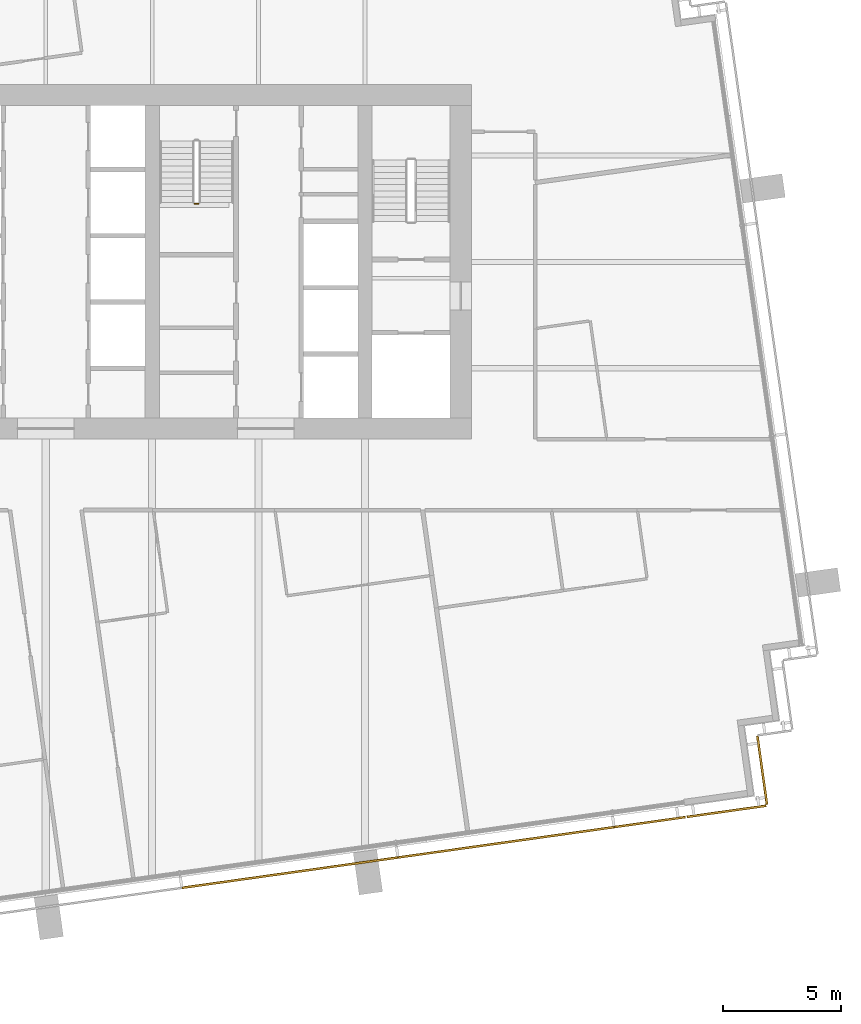
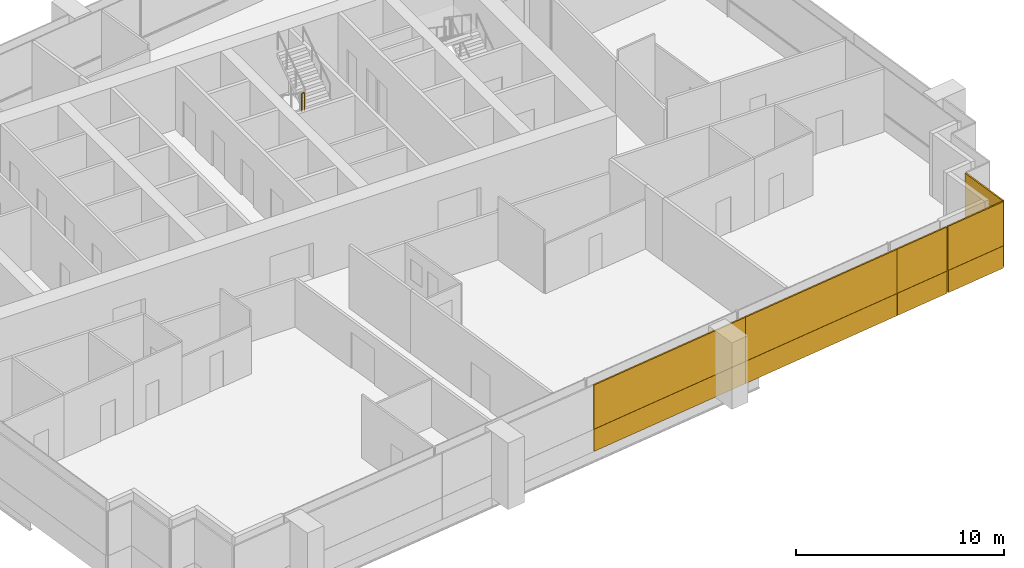
# One storey, part 15 of 18: 10 coverings, 1 railing.
"""IFC4 building model written with IfcOpenShell, lengths in metres."""

from ifc_helpers import new_model, si_unit, direction, frame, origin, origin_2d, place, context, subcontext, project, spatial, rectangle, extrude, material, layer, layer_set, type_object, element, save


model = new_model("IFC4")

# Units and contexts
model_context = context("Model", 3, precision=1e-05, world=origin(), true_north=direction((0.0, 1.0)))
body_context = subcontext(model_context, "Body", "Model", "MODEL_VIEW")
ifc_project = project(units=[si_unit("LENGTHUNIT", "METRE"), si_unit("AREAUNIT", "SQUARE_METRE"), si_unit("VOLUMEUNIT", "CUBIC_METRE"), si_unit("PLANEANGLEUNIT", "RADIAN"), si_unit("MASSUNIT", "GRAM", prefix="KILO")], contexts=[model_context])

# Site, building, storey
site_placement = place(None, origin())
site = spatial("IfcSite", under=ifc_project, at=site_placement, CompositionType="ELEMENT")
building_placement = place(site_placement, origin())
building = spatial("IfcBuilding", under=site, at=building_placement, Name="Rattan Terrace Tower", CompositionType="ELEMENT")
storey_placement = place(building_placement, frame((0.0, 0.0, 233.0)))
storey = spatial("IfcBuildingStorey", under=building, at=storey_placement, Name="L53", CompositionType="ELEMENT", Elevation=233.0)

# Railing
ifc_material_1 = material(Name="Powder-coated steel guard", Category="steel")
railing_type = type_object("IfcRailingType", Name="Core stair guard", PredefinedType="GUARDRAIL", material=ifc_material_1)
railing_placement = place(storey_placement, frame((6.300048828125, 2.449951171875, 1.949951171875)))
element("IfcRailing", 1, at=railing_placement, inside=storey, type_object=railing_type, Name="L53 S3 stair guard 2", PredefinedType="GUARDRAIL", context=body_context, shape_type="SweptSolid", body=[
    extrude(rectangle(XDim=0.048095703125, YDim=0.048095703125, at=origin_2d()), frame((0.0, 0.0, 1.076171875), z_axis=(1.0, 0.0, 0.0), x_axis=(0.0, 1.0, 0.0)), (0.0, 0.0, 1.0), 0.14990234375),
    extrude(rectangle(XDim=0.0419921875, YDim=0.0419921875, at=origin_2d()), origin(), (0.0, 0.0, 1.0), 1.052001953125),
    extrude(rectangle(XDim=0.0419921875, YDim=0.0419921875, at=origin_2d()), frame((0.14990234375, 0.0, 0.0)), (0.0, 0.0, 1.0), 1.052001953125),
])

# Coverings
ifc_material_2 = material(Name="Solid terracotta", Category="masonry")
ifc_layer_1 = layer(ifc_material_2, 0.090087890625)
ifc_layer_set_1 = layer_set([ifc_layer_1], Name="Facade Terracotta Band Panel HZ")
covering_type_1 = type_object("IfcCoveringType", Name="Facade Terracotta Band Panel HZ", PredefinedType="CLADDING", material=ifc_layer_set_1)
covering_1_placement = place(storey_placement, frame((28.7919921875, -23.2470703125, -0.18994140625), z_axis=(0.0, 0.0, 1.0), x_axis=(0.990247240581, 0.139321220646, 0.0)))
element("IfcCovering", 2, at=covering_1_placement, inside=storey, type_object=covering_type_1, Name="OUTER SKIN panel L53-1A", PredefinedType="CLADDING", context=body_context, shape_type="SweptSolid", body=[
    extrude(rectangle(XDim=3.3701171875, YDim=0.090087890625, at=origin_2d()), origin(), (0.0, 0.0, 1.0), 1.300048828125),
])
covering_2_placement = place(storey_placement, frame((30.304443359375, -21.50439453125, -0.18994140625), z_axis=(0.0, 0.0, 1.0), x_axis=(-0.138994363123, 0.990293172258, 0.0)))
element("IfcCovering", 3, at=covering_2_placement, inside=storey, type_object=covering_type_1, Name="OUTER SKIN panel L53-2A", PredefinedType="CLADDING", context=body_context, shape_type="SweptSolid", body=[
    extrude(rectangle(XDim=2.919921875, YDim=0.090087890625, at=origin_2d()), origin(), (0.0, 0.0, 1.0), 1.300048828125),
])
for number, where, z_axis, x_axis, name in (
    (4, (10.32666015625, -25.842529296875, -0.18994140625), (0.0, 0.0, 1.0), (0.990267457022, 0.139177453499, 0.0), "OUTER SKIN panel L53-34A"),
    (5, (19.4677734375, -24.557861328125, -0.18994140625), (0.0, 0.0, 1.0), (0.990267457022, 0.139177453499, 0.0), "OUTER SKIN panel L53-35A"),
):
    element("IfcCovering", number, at=place(storey_placement, frame(where, z_axis=z_axis, x_axis=x_axis)), inside=storey, type_object=covering_type_1, Name=name, PredefinedType="CLADDING", context=body_context, shape_type="SweptSolid", body=[
        extrude(rectangle(XDim=9.2109375, YDim=0.090087890625, at=origin_2d()), origin(), (0.0, 0.0, 1.0), 1.300048828125),
    ])
covering_3_placement = place(storey_placement, frame((25.546142578125, -23.70361328125, -0.18994140625), z_axis=(0.0, 0.0, 1.0), x_axis=(0.990267457022, 0.139177453499, 0.0)))
element("IfcCovering", 6, at=covering_3_placement, inside=storey, type_object=covering_type_1, Name="OUTER SKIN panel L53-36A", PredefinedType="CLADDING", context=body_context, shape_type="SweptSolid", body=[
    extrude(rectangle(XDim=3.025390625, YDim=0.090087890625, at=origin_2d()), origin(), (0.0, 0.0, 1.0), 1.300048828125),
])
ifc_material_3 = material(Name="Perforated terracotta", Category="masonry")
ifc_layer_2 = layer(ifc_material_3, 0.080078125)
ifc_layer_set_2 = layer_set([ifc_layer_2], Name="Facade Terracotta Screen Panel HZ")
covering_type_2 = type_object("IfcCoveringType", Name="Facade Terracotta Screen Panel HZ", PredefinedType="CLADDING", material=ifc_layer_set_2)
covering_4_placement = place(storey_placement, frame((28.791259765625, -23.2421875, 1.10986328125), z_axis=(0.0, 0.0, 1.0), x_axis=(0.990247240581, 0.139321220646, 0.0)))
element("IfcCovering", 7, at=covering_4_placement, inside=storey, type_object=covering_type_2, Name="OUTER SKIN panel L53-1B", PredefinedType="CLADDING", context=body_context, shape_type="SweptSolid", body=[
    extrude(rectangle(XDim=3.3701171875, YDim=0.080078125, at=origin_2d()), origin(), (0.0, 0.0, 1.0), 2.580078125),
])
covering_5_placement = place(storey_placement, frame((30.299560546875, -21.505126953125, 1.10986328125), z_axis=(0.0, 0.0, 1.0), x_axis=(-0.138994363123, 0.990293172258, 0.0)))
element("IfcCovering", 8, at=covering_5_placement, inside=storey, type_object=covering_type_2, Name="OUTER SKIN panel L53-2B", PredefinedType="CLADDING", context=body_context, shape_type="SweptSolid", body=[
    extrude(rectangle(XDim=2.919921875, YDim=0.080078125, at=origin_2d()), origin(), (0.0, 0.0, 1.0), 2.580078125),
])
for number, where, z_axis, x_axis, name in (
    (9, (10.325927734375, -25.837646484375, 1.10986328125), (0.0, 0.0, 1.0), (0.990267457022, 0.139177453499, 0.0), "OUTER SKIN panel L53-34B"),
    (10, (19.467041015625, -24.552978515625, 1.10986328125), (0.0, 0.0, 1.0), (0.990267457022, 0.139177453499, 0.0), "OUTER SKIN panel L53-35B"),
):
    element("IfcCovering", number, at=place(storey_placement, frame(where, z_axis=z_axis, x_axis=x_axis)), inside=storey, type_object=covering_type_2, Name=name, PredefinedType="CLADDING", context=body_context, shape_type="SweptSolid", body=[
        extrude(rectangle(XDim=9.2109375, YDim=0.080078125, at=origin_2d()), origin(), (0.0, 0.0, 1.0), 2.580078125),
    ])
covering_6_placement = place(storey_placement, frame((25.54541015625, -23.69873046875, 1.10986328125), z_axis=(0.0, 0.0, 1.0), x_axis=(0.990267457022, 0.139177453499, 0.0)))
element("IfcCovering", 11, at=covering_6_placement, inside=storey, type_object=covering_type_2, Name="OUTER SKIN panel L53-36B", PredefinedType="CLADDING", context=body_context, shape_type="SweptSolid", body=[
    extrude(rectangle(XDim=3.025390625, YDim=0.080078125, at=origin_2d()), origin(), (0.0, 0.0, 1.0), 2.580078125),
])

save(model, "model.ifc")
